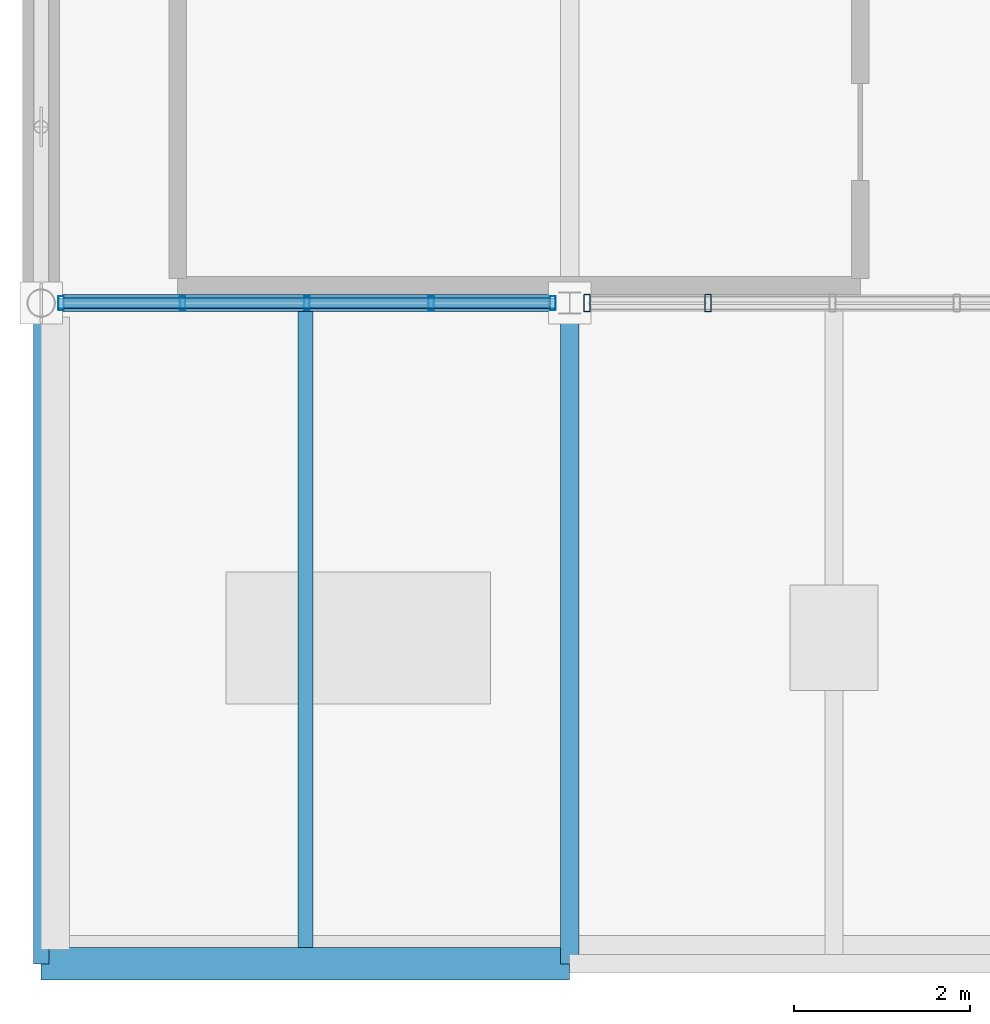
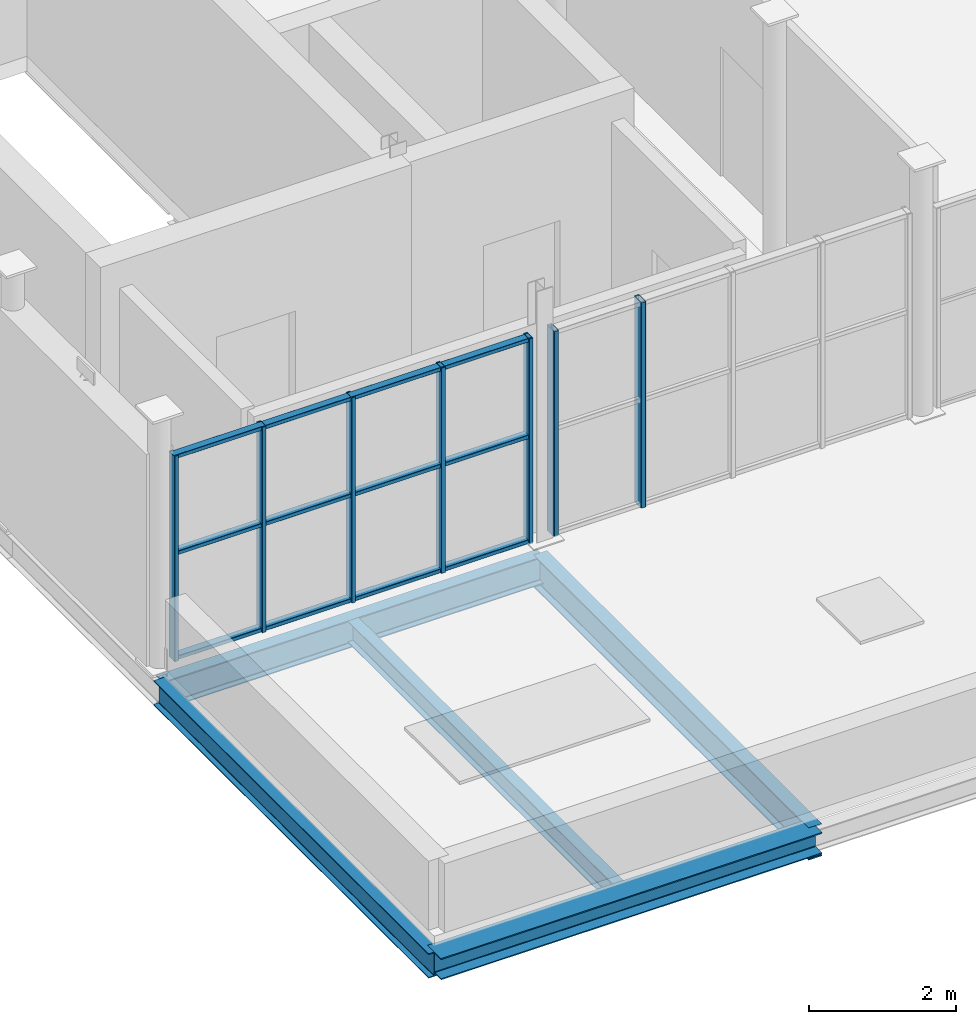
# One storey, part 3 of 27: 10 members, 5 beams, 2 elements without a shape of their own.
"""IFC4 building model written with IfcOpenShell, lengths in metres."""

from ifc_helpers import new_model, si_unit, direction, frame, origin, origin_2d, place, context, subcontext, project, spatial, hollow_rectangle, i_section, extrude, material, material_profile, profile_set, type_object, element, aggregate, save


model = new_model("IFC4")

# Units and contexts
model_context = context("Model", 3, precision=1e-05, world=origin(), true_north=direction((0.0, 1.0)))
body_context = subcontext(model_context, "Body", "Model", "MODEL_VIEW")
ifc_project = project(units=[si_unit("LENGTHUNIT", "METRE"), si_unit("AREAUNIT", "SQUARE_METRE"), si_unit("VOLUMEUNIT", "CUBIC_METRE"), si_unit("PLANEANGLEUNIT", "RADIAN"), si_unit("MASSUNIT", "GRAM", prefix="KILO")], contexts=[model_context])

# Site, building, storey
site_placement = place(None, origin())
site = spatial("IfcSite", under=ifc_project, at=site_placement, CompositionType="ELEMENT")
building_placement = place(site_placement, origin())
building = spatial("IfcBuilding", under=site, at=building_placement, Name="Verrall Gate Interchange", CompositionType="ELEMENT")
storey_placement = place(building_placement, frame((0.0, 0.0, 28.60009765625)))
storey = spatial("IfcBuildingStorey", under=building, at=storey_placement, Name="L07", CompositionType="ELEMENT", Elevation=28.60009765625)

# Beams
ifc_material_1 = material(Name="Structural Steel CSA G40.21 350W", Category="steel")
ifc_material_profile_1 = material_profile(ifc_material_1, i_section(OverallWidth=0.2109375, OverallDepth=0.5390625, WebThickness=0.01171875, FlangeThickness=0.018798828125, FilletRadius=0.013916015625, at=origin_2d()), Name="W530x109")
ifc_profile_set_1 = profile_set([ifc_material_profile_1], Name="Structural Steel CSA G40.21 350W")
beam_type_1 = type_object("IfcBeamType", Name="B-10 Structural Beam W530x109", PredefinedType="BEAM", material=ifc_profile_set_1)
beam_1_placement = place(storey_placement, frame((12.0, 4.5, -0.529541015625), z_axis=(0.0, 1.0, 0.0), x_axis=(-1.0, 0.0, 0.0)))
element("IfcBeam", 1, at=beam_1_placement, inside=storey, type_object=beam_type_1, Name="L07 Girder BM-L07-3273 (B-10)", PredefinedType="BEAM", context=body_context, shape_type="SweptSolid", body=[
    extrude(i_section(OverallWidth=0.2109375, OverallDepth=0.5390625, WebThickness=0.01171875, FlangeThickness=0.018798828125, FilletRadius=0.013916015625, at=origin_2d()), origin(), (0.0, 0.0, 1.0), 7.5),
])
ifc_material_2 = material(Name="Structural Steel CSA G40.21 350W", Category="steel")
ifc_material_profile_2 = material_profile(ifc_material_2, i_section(OverallWidth=0.19189453125, OverallDepth=0.462890625, WebThickness=0.010498046875, FlangeThickness=0.017578125, FilletRadius=0.012939453125, at=origin_2d()), Name="W460x89")
ifc_profile_set_2 = profile_set([ifc_material_profile_2], Name="Structural Steel CSA G40.21 350W")
beam_type_2 = type_object("IfcBeamType", Name="B-11 Structural Beam W460x89", PredefinedType="BEAM", material=ifc_profile_set_2)
beam_2_placement = place(storey_placement, frame((6.0, 12.0, -0.49169921875), z_axis=(1.0, 0.0, 0.0), x_axis=(0.0, 1.0, 0.0)))
element("IfcBeam", 2, at=beam_2_placement, inside=storey, type_object=beam_type_2, Name="L07 Girder BM-L07-3227 (B-11)", PredefinedType="BEAM", context=body_context, shape_type="SweptSolid", body=[
    extrude(i_section(OverallWidth=0.19189453125, OverallDepth=0.462890625, WebThickness=0.010498046875, FlangeThickness=0.017578125, FilletRadius=0.012939453125, at=origin_2d()), origin(), (0.0, 0.0, 1.0), 6.0),
])
ifc_material_3 = material(Name="Structural Steel CSA G40.21 350W", Category="steel")
ifc_material_profile_3 = material_profile(ifc_material_3, i_section(OverallWidth=0.178955078125, OverallDepth=0.409912109375, WebThickness=0.0087890625, FlangeThickness=0.014404296875, FilletRadius=0.011962890625, at=origin_2d()), Name="W410x67")
ifc_profile_set_3 = profile_set([ifc_material_profile_3], Name="Structural Steel CSA G40.21 350W")
beam_type_3 = type_object("IfcBeamType", Name="B-12 Structural Beam W410x67", PredefinedType="BEAM", material=ifc_profile_set_3)
beam_3_placement = place(storey_placement, frame((6.0, 4.5, -0.465087890625), z_axis=(0.0, 1.0, 0.0), x_axis=(-1.0, 0.0, 0.0)))
element("IfcBeam", 3, at=beam_3_placement, inside=storey, type_object=beam_type_3, Name="L07 Girder BM-L07-3264 (B-12)", PredefinedType="BEAM", context=body_context, shape_type="SweptSolid", body=[
    extrude(i_section(OverallWidth=0.178955078125, OverallDepth=0.409912109375, WebThickness=0.0087890625, FlangeThickness=0.014404296875, FilletRadius=0.011962890625, at=origin_2d()), origin(), (0.0, 0.0, 1.0), 7.5),
])
ifc_material_4 = material(Name="Structural Steel CSA G40.21 350W", Category="steel")
ifc_material_profile_4 = material_profile(ifc_material_4, i_section(OverallWidth=0.368896484375, OverallDepth=0.35595703125, WebThickness=0.01123046875, FlangeThickness=0.01806640625, FilletRadius=0.014892578125, at=origin_2d()), Name="W360x134")
ifc_profile_set_4 = profile_set([ifc_material_profile_4], Name="Structural Steel CSA G40.21 350W")
beam_type_4 = type_object("IfcBeamType", Name="B-13 Structural Beam W360x134", PredefinedType="BEAM", material=ifc_profile_set_4)
beam_4_placement = place(storey_placement, frame((6.0, 4.5, -0.43798828125), z_axis=(1.0, 0.0, 0.0), x_axis=(0.0, 1.0, 0.0)))
element("IfcBeam", 4, at=beam_4_placement, inside=storey, type_object=beam_type_4, Name="L07 Girder BM-L07-3222 (B-13)", PredefinedType="BEAM", context=body_context, shape_type="SweptSolid", body=[
    extrude(i_section(OverallWidth=0.368896484375, OverallDepth=0.35595703125, WebThickness=0.01123046875, FlangeThickness=0.01806640625, FilletRadius=0.014892578125, at=origin_2d()), origin(), (0.0, 0.0, 1.0), 6.0),
])

# Curtain wall, members
ifc_material_5 = material(Name="Thermally Broken Anodized Aluminium Curtain Wall Framing", Category="aluminium")
curtain_wall_type = type_object("IfcCurtainWallType", Name="CW-50 Unitized Curtain Wall 5647x3420", PredefinedType="NOTDEFINED", material=ifc_material_5)
curtain_wall_1_placement = place(storey_placement, origin())
curtain_wall_1 = element("IfcCurtainWall", 5, at=curtain_wall_1_placement, inside=storey, type_object=curtain_wall_type, Name="L07 Unitized Curtain Wall CW-L07-152", PredefinedType="NOTDEFINED")
ifc_material_6 = material(Name="Thermally Broken Anodized Aluminium Curtain Wall Framing", Category="aluminium")
ifc_material_profile_5 = material_profile(ifc_material_6, hollow_rectangle(XDim=0.06494140625, YDim=0.159912109375, WallThickness=0.00390625, InnerFilletRadius=0.00390625, OuterFilletRadius=0.008056640625, at=origin_2d()), Name="CWM160x65x4")
ifc_profile_set_5 = profile_set([ifc_material_profile_5], Name="Thermally Broken Anodized Aluminium Curtain Wall Framing")
member_type_1 = type_object("IfcMemberType", Name="CM-01 Curtain Mullion CWM160x65x4", PredefinedType="MULLION", material=ifc_profile_set_5)
member_1_placement = place(storey_placement, frame((6.226318359375, 12.0, 0.0), z_axis=(0.0, 0.0, 1.0), x_axis=(1.0, 0.0, 0.0)))
member_1 = element("IfcMember", 6, at=member_1_placement, type_object=member_type_1, Name="CW-L07-152 Mullion 1", PredefinedType="MULLION", context=body_context, shape_type="SweptSolid", body=[
    extrude(hollow_rectangle(XDim=0.06494140625, YDim=0.159912109375, WallThickness=0.00390625, InnerFilletRadius=0.00390625, OuterFilletRadius=0.008056640625, at=origin_2d()), origin(), (0.0, 0.0, 1.0), 3.419921875),
])
member_2_placement = place(storey_placement, frame((7.605712890625, 12.0, 0.0), z_axis=(0.0, 0.0, 1.0), x_axis=(1.0, 0.0, 0.0)))
member_2 = element("IfcMember", 7, at=member_2_placement, type_object=member_type_1, Name="CW-L07-152 Mullion 2", PredefinedType="MULLION", context=body_context, shape_type="SweptSolid", body=[
    extrude(hollow_rectangle(XDim=0.06494140625, YDim=0.159912109375, WallThickness=0.00390625, InnerFilletRadius=0.00390625, OuterFilletRadius=0.008056640625, at=origin_2d()), origin(), (0.0, 0.0, 1.0), 3.419921875),
])
member_3_placement = place(storey_placement, frame((9.017578125, 12.0, 0.0), z_axis=(0.0, 0.0, 1.0), x_axis=(1.0, 0.0, 0.0)))
member_3 = element("IfcMember", 8, at=member_3_placement, type_object=member_type_1, Name="CW-L07-152 Mullion 3", PredefinedType="MULLION", context=body_context, shape_type="SweptSolid", body=[
    extrude(hollow_rectangle(XDim=0.06494140625, YDim=0.159912109375, WallThickness=0.00390625, InnerFilletRadius=0.00390625, OuterFilletRadius=0.008056640625, at=origin_2d()), origin(), (0.0, 0.0, 1.0), 3.419921875),
])
member_4_placement = place(storey_placement, frame((10.42919921875, 12.0, 0.0), z_axis=(0.0, 0.0, 1.0), x_axis=(1.0, 0.0, 0.0)))
member_4 = element("IfcMember", 9, at=member_4_placement, type_object=member_type_1, Name="CW-L07-152 Mullion 4", PredefinedType="MULLION", context=body_context, shape_type="SweptSolid", body=[
    extrude(hollow_rectangle(XDim=0.06494140625, YDim=0.159912109375, WallThickness=0.00390625, InnerFilletRadius=0.00390625, OuterFilletRadius=0.008056640625, at=origin_2d()), origin(), (0.0, 0.0, 1.0), 3.419921875),
])
member_5_placement = place(storey_placement, frame((11.80859375, 12.0, 0.0), z_axis=(0.0, 0.0, 1.0), x_axis=(1.0, 0.0, 0.0)))
member_5 = element("IfcMember", 10, at=member_5_placement, type_object=member_type_1, Name="CW-L07-152 Mullion 5", PredefinedType="MULLION", context=body_context, shape_type="SweptSolid", body=[
    extrude(hollow_rectangle(XDim=0.06494140625, YDim=0.159912109375, WallThickness=0.00390625, InnerFilletRadius=0.00390625, OuterFilletRadius=0.008056640625, at=origin_2d()), origin(), (0.0, 0.0, 1.0), 3.419921875),
])

curtain_wall_2_placement = place(storey_placement, origin())
curtain_wall_2 = element("IfcCurtainWall", 11, at=curtain_wall_2_placement, inside=storey, type_object=curtain_wall_type, Name="L07 Unitized Curtain Wall CW-L07-153", PredefinedType="NOTDEFINED")
ifc_material_7 = material(Name="Thermally Broken Anodized Aluminium Curtain Wall Framing", Category="aluminium")
ifc_material_profile_6 = material_profile(ifc_material_7, hollow_rectangle(XDim=0.074951171875, YDim=0.199951171875, WallThickness=0.0048828125, InnerFilletRadius=0.0048828125, OuterFilletRadius=0.010009765625, at=origin_2d()), Name="CWM200x75x5")
ifc_profile_set_6 = profile_set([ifc_material_profile_6], Name="Thermally Broken Anodized Aluminium Curtain Wall Framing")
member_type_2 = type_object("IfcMemberType", Name="CM-02 Curtain Mullion CWM200x75x5", PredefinedType="MULLION", material=ifc_profile_set_6)
member_6_placement = place(storey_placement, frame((12.196533203125, 12.0, 0.0), z_axis=(0.0, 0.0, 1.0), x_axis=(1.0, 0.0, 0.0)))
member_6 = element("IfcMember", 12, at=member_6_placement, type_object=member_type_2, Name="CW-L07-153 Mullion 1", PredefinedType="MULLION", context=body_context, shape_type="SweptSolid", body=[
    extrude(hollow_rectangle(XDim=0.074951171875, YDim=0.199951171875, WallThickness=0.0048828125, InnerFilletRadius=0.0048828125, OuterFilletRadius=0.010009765625, at=origin_2d()), origin(), (0.0, 0.0, 1.0), 3.419921875),
])
member_7_placement = place(storey_placement, frame((13.57080078125, 12.0, 0.0), z_axis=(0.0, 0.0, 1.0), x_axis=(1.0, 0.0, 0.0)))
member_7 = element("IfcMember", 13, at=member_7_placement, type_object=member_type_2, Name="CW-L07-153 Mullion 2", PredefinedType="MULLION", context=body_context, shape_type="SweptSolid", body=[
    extrude(hollow_rectangle(XDim=0.074951171875, YDim=0.199951171875, WallThickness=0.0048828125, InnerFilletRadius=0.0048828125, OuterFilletRadius=0.010009765625, at=origin_2d()), origin(), (0.0, 0.0, 1.0), 3.419921875),
])
aggregate(curtain_wall_2, [member_6, member_7])

# Member
ifc_material_8 = material(Name="Thermally Broken Anodized Aluminium Curtain Wall Framing", Category="aluminium")
ifc_material_profile_7 = material_profile(ifc_material_8, hollow_rectangle(XDim=0.1201171875, YDim=0.06494140625, WallThickness=0.00390625, InnerFilletRadius=0.00390625, OuterFilletRadius=0.008056640625, at=origin_2d()), Name="CWT120x65x4")
ifc_profile_set_7 = profile_set([ifc_material_profile_7], Name="Thermally Broken Anodized Aluminium Curtain Wall Framing")
member_type_3 = type_object("IfcMemberType", Name="CT-01 Curtain Transom CWT120x65x4", PredefinedType="USERDEFINED", material=ifc_profile_set_7)
member_8_placement = place(storey_placement, frame((6.19384765625, 12.0, 0.032470703125), z_axis=(1.0, 0.0, 0.0), x_axis=(0.0, 1.0, 0.0)))
member_8 = element("IfcMember", 14, at=member_8_placement, type_object=member_type_3, Name="CW-L07-152 Transom 1", ObjectType="TRANSOM", PredefinedType="USERDEFINED", context=body_context, shape_type="SweptSolid", body=[
    extrude(hollow_rectangle(XDim=0.1201171875, YDim=0.06494140625, WallThickness=0.00390625, InnerFilletRadius=0.00390625, OuterFilletRadius=0.008056640625, at=origin_2d()), origin(), (0.0, 0.0, 1.0), 5.647216796875),
])

member_9_placement = place(storey_placement, frame((6.19384765625, 12.0, 1.7783203125), z_axis=(1.0, 0.0, 0.0), x_axis=(0.0, 1.0, 0.0)))
member_9 = element("IfcMember", 15, at=member_9_placement, type_object=member_type_3, Name="CW-L07-152 Transom 2", ObjectType="TRANSOM", PredefinedType="USERDEFINED", context=body_context, shape_type="SweptSolid", body=[
    extrude(hollow_rectangle(XDim=0.1201171875, YDim=0.06494140625, WallThickness=0.00390625, InnerFilletRadius=0.00390625, OuterFilletRadius=0.008056640625, at=origin_2d()), origin(), (0.0, 0.0, 1.0), 5.647216796875),
])

member_10_placement = place(storey_placement, frame((6.19384765625, 12.0, 3.387451171875), z_axis=(1.0, 0.0, 0.0), x_axis=(0.0, 1.0, 0.0)))
member_10 = element("IfcMember", 16, at=member_10_placement, type_object=member_type_3, Name="CW-L07-152 Transom 3", ObjectType="TRANSOM", PredefinedType="USERDEFINED", context=body_context, shape_type="SweptSolid", body=[
    extrude(hollow_rectangle(XDim=0.1201171875, YDim=0.06494140625, WallThickness=0.00390625, InnerFilletRadius=0.00390625, OuterFilletRadius=0.008056640625, at=origin_2d()), origin(), (0.0, 0.0, 1.0), 5.647216796875),
])

aggregate(curtain_wall_1, [member_1, member_2, member_3, member_4, member_5, member_8, member_9, member_10])

# Beam
ifc_material_9 = material(Name="Structural Steel CSA G40.21 350W", Category="steel")
ifc_material_profile_8 = material_profile(ifc_material_9, i_section(OverallWidth=0.172119140625, OverallDepth=0.35791015625, WebThickness=0.0078125, FlangeThickness=0.01318359375, FilletRadius=0.010986328125, at=origin_2d()), Name="W360x57")
ifc_profile_set_8 = profile_set([ifc_material_profile_8], Name="Structural Steel CSA G40.21 350W")
beam_type_5 = type_object("IfcBeamType", Name="J-01 Floor Joist W360x57", PredefinedType="JOIST", material=ifc_profile_set_8)
beam_5_placement = place(storey_placement, frame((9.0, 4.6845703125, -0.439208984375), z_axis=(0.0, 1.0, 0.0), x_axis=(-1.0, 0.0, 0.0)))
element("IfcBeam", 17, at=beam_5_placement, inside=storey, type_object=beam_type_5, Name="L07 Secondary Floor Joist JST-L07-3318", PredefinedType="JOIST", context=body_context, shape_type="SweptSolid", body=[
    extrude(i_section(OverallWidth=0.172119140625, OverallDepth=0.35791015625, WebThickness=0.0078125, FlangeThickness=0.01318359375, FilletRadius=0.010986328125, at=origin_2d()), origin(), (0.0, 0.0, 1.0), 7.219482421875),
])

save(model, "model.ifc")
